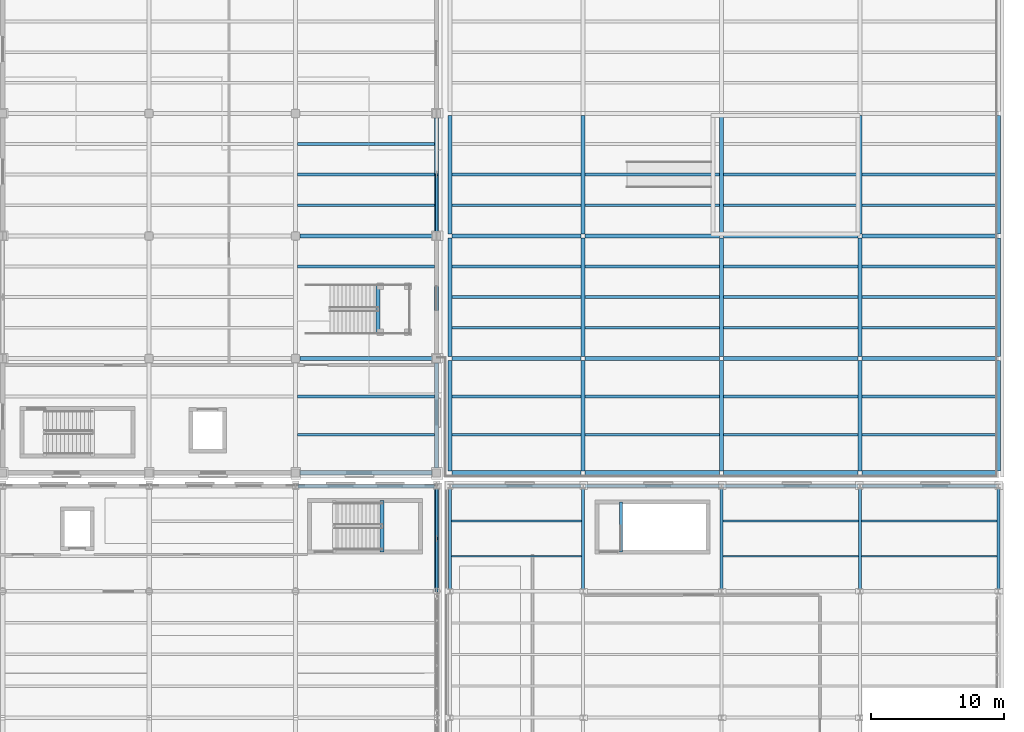
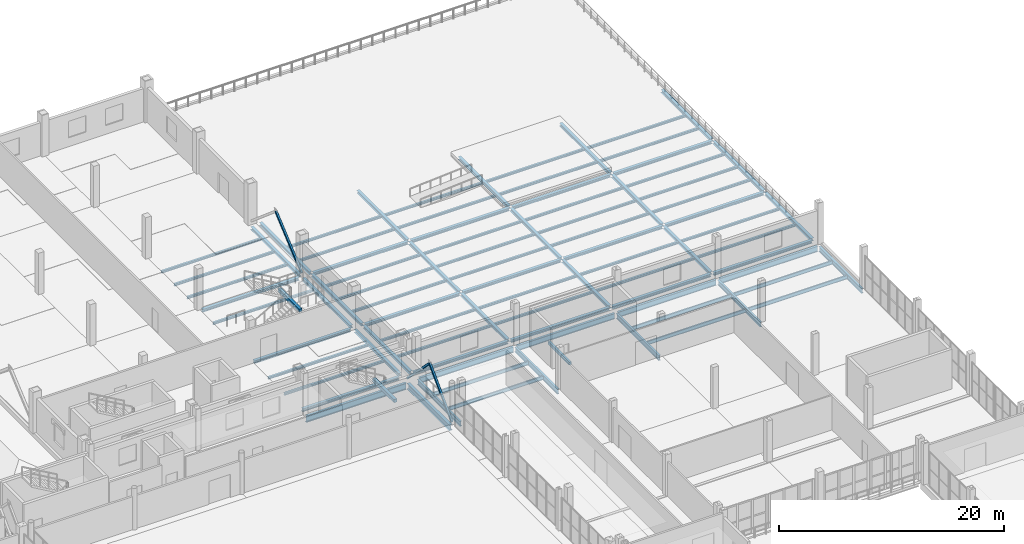
# One storey, part 99 of 156: 87 beams, 3 members.
"""IFC4 building model written with IfcOpenShell, lengths in metres."""

from ifc_helpers import new_model, si_unit, direction, frame, origin, origin_2d, place, context, subcontext, project, spatial, rectangle, hollow_rectangle, i_section, extrude, material, material_profile, profile_set, type_object, element, save


model = new_model("IFC4")

# Units and contexts
model_context = context("Model", 3, precision=1e-05, world=origin(), true_north=direction((0.0, 1.0)))
body_context = subcontext(model_context, "Body", "Model", "MODEL_VIEW")
ifc_project = project(units=[si_unit("LENGTHUNIT", "METRE"), si_unit("AREAUNIT", "SQUARE_METRE"), si_unit("VOLUMEUNIT", "CUBIC_METRE"), si_unit("PLANEANGLEUNIT", "RADIAN"), si_unit("MASSUNIT", "GRAM", prefix="KILO")], contexts=[model_context])

# Site, building, storey
site_placement = place(None, origin())
site = spatial("IfcSite", under=ifc_project, at=site_placement, CompositionType="ELEMENT")
building_placement = place(site_placement, origin())
building = spatial("IfcBuilding", under=site, at=building_placement, Name="Caurita Quay Ferry Terminal", CompositionType="ELEMENT")
storey_placement = place(building_placement, frame((0.0, 0.0, 5.39990234375)))
storey = spatial("IfcBuildingStorey", under=building, at=storey_placement, Name="L01", CompositionType="ELEMENT", Elevation=5.39990234375)

# Beams
ifc_material_1 = material(Name="Structural steel ASTM A992 Gr. 50", Category="steel")
ifc_material_profile_1 = material_profile(ifc_material_1, i_section(OverallWidth=0.210693359375, OverallDepth=0.53857421875, WebThickness=0.01171875, FlangeThickness=0.018798828125, FilletRadius=0.013916015625, at=origin_2d()), Name="W21X73")
ifc_profile_set_1 = profile_set([ifc_material_profile_1], Name="Structural steel ASTM A992 Gr. 50")
beam_type_1 = type_object("IfcBeamType", Name="BM-GR-W21A", PredefinedType="BEAM", material=ifc_profile_set_1)
for number, where, z_axis, x_axis, name in (
    (1, (132.800048828125, 62.8544921875, -0.504150390625), (0.0, 1.0, 0.0), (-1.0, 0.0, 0.0), "L01 Beam BM-V3H-L01-Y-1328-629"),
    (2, (142.800048828125, 62.8544921875, -0.504150390625), (0.0, 1.0, 0.0), (-1.0, 0.0, 0.0), "L01 Beam BM-V3H-L01-Y-1428-629"),
    (3, (153.199951171875, 62.8544921875, -0.504150390625), (0.0, 1.0, 0.0), (-1.0, 0.0, 0.0), "L01 Beam BM-V3H-L01-Y-1532-629"),
    (4, (163.60009765625, 62.8544921875, -0.504150390625), (0.0, 1.0, 0.0), (-1.0, 0.0, 0.0), "L01 Beam BM-V3H-L01-Y-1636-629"),
    (5, (174.0, 62.8544921875, -0.504150390625), (0.0, 1.0, 0.0), (-1.0, 0.0, 0.0), "L01 Beam BM-V3H-L01-Y-1740-629"),
):
    element("IfcBeam", number, at=place(storey_placement, frame(where, z_axis=z_axis, x_axis=x_axis)), inside=storey, type_object=beam_type_1, Name=name, PredefinedType="BEAM", context=body_context, shape_type="SweptSolid", body=[
        extrude(i_section(OverallWidth=0.210693359375, OverallDepth=0.53857421875, WebThickness=0.01171875, FlangeThickness=0.018798828125, FilletRadius=0.013916015625, at=origin_2d()), origin(), (0.0, 0.0, 1.0), 7.591064453125),
    ])
ifc_material_profile_2 = material_profile(ifc_material_1, i_section(OverallWidth=0.3251953125, OverallDepth=0.612060546875, WebThickness=0.0126953125, FlangeThickness=0.01904296875, FilletRadius=0.01513671875, at=origin_2d()), Name="W24X104")
ifc_profile_set_2 = profile_set([ifc_material_profile_2], Name="Structural steel ASTM A992 Gr. 50")
beam_type_2 = type_object("IfcBeamType", Name="BM-GR-W24A", PredefinedType="BEAM", material=ifc_profile_set_2)
beam_1_placement = place(storey_placement, frame((131.800048828125, 62.916015625, -0.60595703125), z_axis=(0.0, 1.0, 0.0), x_axis=(-1.0, 0.0, 0.0)))
element("IfcBeam", 6, at=beam_1_placement, inside=storey, type_object=beam_type_2, Name="L01 Beam BM-V2-L01-Y-1318-629", PredefinedType="BEAM", context=body_context, shape_type="SweptSolid", body=[
    extrude(i_section(OverallWidth=0.3251953125, OverallDepth=0.612060546875, WebThickness=0.0126953125, FlangeThickness=0.01904296875, FilletRadius=0.01513671875, at=origin_2d()), origin(), (0.0, 0.0, 1.0), 7.5166015625),
])
ifc_material_profile_3 = material_profile(ifc_material_1, i_section(OverallWidth=0.22802734375, OverallDepth=0.60205078125, WebThickness=0.010498046875, FlangeThickness=0.014892578125, at=origin_2d()), Name="W24X68")
ifc_profile_set_3 = profile_set([ifc_material_profile_3], Name="Structural steel ASTM A992 Gr. 50")
beam_type_3 = type_object("IfcBeamType", Name="BM-GR-W24C", PredefinedType="BEAM", material=ifc_profile_set_3)
beam_2_placement = place(storey_placement, frame((132.95751953125, 70.60009765625, -0.535888671875), z_axis=(1.0, 0.0, 0.0), x_axis=(0.0, 1.0, 0.0)))
element("IfcBeam", 7, at=beam_2_placement, inside=storey, type_object=beam_type_3, Name="L01 Beam BM-V3H-L01-X-1330-706", PredefinedType="BEAM", context=body_context, shape_type="SweptSolid", body=[
    extrude(i_section(OverallWidth=0.22802734375, OverallDepth=0.60205078125, WebThickness=0.010498046875, FlangeThickness=0.014892578125, at=origin_2d()), origin(), (0.0, 0.0, 1.0), 9.684814453125),
])
beam_3_placement = place(storey_placement, frame((142.95751953125, 70.60009765625, -0.535888671875), z_axis=(1.0, 0.0, 0.0), x_axis=(0.0, 1.0, 0.0)))
element("IfcBeam", 8, at=beam_3_placement, inside=storey, type_object=beam_type_3, Name="L01 Beam BM-V3H-L01-X-1430-706", PredefinedType="BEAM", context=body_context, shape_type="SweptSolid", body=[
    extrude(i_section(OverallWidth=0.22802734375, OverallDepth=0.60205078125, WebThickness=0.010498046875, FlangeThickness=0.014892578125, at=origin_2d()), origin(), (0.0, 0.0, 1.0), 10.0849609375),
])
for number, where, z_axis, x_axis, name in (
    (9, (153.357666015625, 70.60009765625, -0.535888671875), (1.0, 0.0, 0.0), (0.0, 1.0, 0.0), "L01 Beam BM-V3H-L01-X-1534-706"),
    (10, (163.757568359375, 70.60009765625, -0.535888671875), (1.0, 0.0, 0.0), (0.0, 1.0, 0.0), "L01 Beam BM-V3H-L01-X-1638-706"),
):
    element("IfcBeam", number, at=place(storey_placement, frame(where, z_axis=z_axis, x_axis=x_axis)), inside=storey, type_object=beam_type_3, Name=name, PredefinedType="BEAM", context=body_context, shape_type="SweptSolid", body=[
        extrude(i_section(OverallWidth=0.22802734375, OverallDepth=0.60205078125, WebThickness=0.010498046875, FlangeThickness=0.014892578125, at=origin_2d()), origin(), (0.0, 0.0, 1.0), 10.084716796875),
    ])
ifc_material_profile_4 = material_profile(ifc_material_1, i_section(OverallWidth=0.256591796875, OverallDepth=0.693359375, WebThickness=0.014404296875, FlangeThickness=0.023681640625, FilletRadius=0.017822265625, at=origin_2d()), Name="W27X114")
ifc_profile_set_4 = profile_set([ifc_material_profile_4], Name="Structural steel ASTM A992 Gr. 50")
beam_type_4 = type_object("IfcBeamType", Name="BM-GR-W27A", PredefinedType="BEAM", material=ifc_profile_set_4)
beam_4_placement = place(storey_placement, frame((121.369384765625, 70.60009765625, -0.646484375), z_axis=(1.0, 0.0, 0.0), x_axis=(0.0, 1.0, 0.0)))
element("IfcBeam", 11, at=beam_4_placement, inside=storey, type_object=beam_type_4, Name="L01 Beam BM-V2-L01-X-1214-706", PredefinedType="BEAM", context=body_context, shape_type="SweptSolid", body=[
    extrude(i_section(OverallWidth=0.256591796875, OverallDepth=0.693359375, WebThickness=0.014404296875, FlangeThickness=0.023681640625, FilletRadius=0.017822265625, at=origin_2d()), origin(), (0.0, 0.0, 1.0), 10.26123046875),
])
ifc_material_profile_5 = material_profile(ifc_material_1, i_section(OverallWidth=0.2021484375, OverallDepth=0.246337890625, WebThickness=0.00732421875, FlangeThickness=0.010986328125, FilletRadius=0.01025390625, at=origin_2d()), Name="W10X33")
ifc_profile_set_5 = profile_set([ifc_material_profile_5], Name="Structural steel ASTM A992 Gr. 50")
beam_type_5 = type_object("IfcBeamType", Name="BM-JS-W10", PredefinedType="JOIST", material=ifc_profile_set_5)
for number, where, z_axis, x_axis, name in (
    (12, (132.952392578125, 74.466796875, -0.31298828125), (1.0, 0.0, 0.0), (0.0, 1.0, 0.0), "L01 Beam JS-V4E-L01-001"),
    (13, (132.952392578125, 77.333251953125, -0.31298828125), (1.0, 0.0, 0.0), (0.0, 1.0, 0.0), "L01 Beam JS-V4E-L01-002"),
    (14, (132.952392578125, 82.5, -0.31298828125), (1.0, 0.0, 0.0), (0.0, 1.0, 0.0), "L01 Beam JS-V4E-L01-003"),
    (15, (132.952392578125, 84.800048828125, -0.31298828125), (1.0, 0.0, 0.0), (0.0, 1.0, 0.0), "L01 Beam JS-V4E-L01-004"),
    (16, (132.952392578125, 87.10009765625, -0.31298828125), (1.0, 0.0, 0.0), (0.0, 1.0, 0.0), "L01 Beam JS-V4E-L01-005"),
    (17, (132.952392578125, 91.699951171875, -0.31298828125), (1.0, 0.0, 0.0), (0.0, 1.0, 0.0), "L01 Beam JS-V4E-L01-006"),
    (18, (132.952392578125, 94.0, -0.31298828125), (1.0, 0.0, 0.0), (0.0, 1.0, 0.0), "L01 Beam JS-V4E-L01-007"),
):
    element("IfcBeam", number, at=place(storey_placement, frame(where, z_axis=z_axis, x_axis=x_axis)), inside=storey, type_object=beam_type_5, Name=name, PredefinedType="JOIST", context=body_context, shape_type="SweptSolid", body=[
        extrude(i_section(OverallWidth=0.2021484375, OverallDepth=0.246337890625, WebThickness=0.00732421875, FlangeThickness=0.010986328125, FilletRadius=0.01025390625, at=origin_2d()), origin(), (0.0, 0.0, 1.0), 9.6953125),
    ])
for number, where, z_axis, x_axis, name in (
    (19, (142.952392578125, 74.466796875, -0.31298828125), (1.0, 0.0, 0.0), (0.0, 1.0, 0.0), "L01 Beam JS-V4E-L01-015"),
    (20, (142.952392578125, 77.333251953125, -0.31298828125), (1.0, 0.0, 0.0), (0.0, 1.0, 0.0), "L01 Beam JS-V4E-L01-016"),
    (21, (142.952392578125, 82.5, -0.31298828125), (1.0, 0.0, 0.0), (0.0, 1.0, 0.0), "L01 Beam JS-V4E-L01-017"),
    (22, (142.952392578125, 84.800048828125, -0.31298828125), (1.0, 0.0, 0.0), (0.0, 1.0, 0.0), "L01 Beam JS-V4E-L01-018"),
    (23, (142.952392578125, 87.10009765625, -0.31298828125), (1.0, 0.0, 0.0), (0.0, 1.0, 0.0), "L01 Beam JS-V4E-L01-019"),
    (24, (142.952392578125, 91.699951171875, -0.31298828125), (1.0, 0.0, 0.0), (0.0, 1.0, 0.0), "L01 Beam JS-V4E-L01-020"),
    (25, (142.952392578125, 94.0, -0.31298828125), (1.0, 0.0, 0.0), (0.0, 1.0, 0.0), "L01 Beam JS-V4E-L01-021"),
    (26, (153.352294921875, 74.466796875, -0.31298828125), (1.0, 0.0, 0.0), (0.0, 1.0, 0.0), "L01 Beam JS-V4E-L01-029"),
    (27, (153.352294921875, 77.333251953125, -0.31298828125), (1.0, 0.0, 0.0), (0.0, 1.0, 0.0), "L01 Beam JS-V4E-L01-030"),
    (28, (153.352294921875, 82.5, -0.31298828125), (1.0, 0.0, 0.0), (0.0, 1.0, 0.0), "L01 Beam JS-V4E-L01-031"),
    (29, (153.352294921875, 84.800048828125, -0.31298828125), (1.0, 0.0, 0.0), (0.0, 1.0, 0.0), "L01 Beam JS-V4E-L01-032"),
    (30, (153.352294921875, 87.10009765625, -0.31298828125), (1.0, 0.0, 0.0), (0.0, 1.0, 0.0), "L01 Beam JS-V4E-L01-033"),
    (31, (153.352294921875, 91.699951171875, -0.31298828125), (1.0, 0.0, 0.0), (0.0, 1.0, 0.0), "L01 Beam JS-V4E-L01-034"),
    (32, (153.352294921875, 94.0, -0.31298828125), (1.0, 0.0, 0.0), (0.0, 1.0, 0.0), "L01 Beam JS-V4E-L01-035"),
    (33, (163.75244140625, 74.466796875, -0.31298828125), (1.0, 0.0, 0.0), (0.0, 1.0, 0.0), "L01 Beam JS-V4E-L01-043"),
    (34, (163.75244140625, 77.333251953125, -0.31298828125), (1.0, 0.0, 0.0), (0.0, 1.0, 0.0), "L01 Beam JS-V4E-L01-044"),
    (35, (163.75244140625, 82.5, -0.31298828125), (1.0, 0.0, 0.0), (0.0, 1.0, 0.0), "L01 Beam JS-V4E-L01-045"),
    (36, (163.75244140625, 84.800048828125, -0.31298828125), (1.0, 0.0, 0.0), (0.0, 1.0, 0.0), "L01 Beam JS-V4E-L01-046"),
    (37, (163.75244140625, 87.10009765625, -0.31298828125), (1.0, 0.0, 0.0), (0.0, 1.0, 0.0), "L01 Beam JS-V4E-L01-047"),
    (38, (163.75244140625, 91.699951171875, -0.31298828125), (1.0, 0.0, 0.0), (0.0, 1.0, 0.0), "L01 Beam JS-V4E-L01-048"),
    (39, (163.75244140625, 94.0, -0.31298828125), (1.0, 0.0, 0.0), (0.0, 1.0, 0.0), "L01 Beam JS-V4E-L01-049"),
):
    element("IfcBeam", number, at=place(storey_placement, frame(where, z_axis=z_axis, x_axis=x_axis)), inside=storey, type_object=beam_type_5, Name=name, PredefinedType="JOIST", context=body_context, shape_type="SweptSolid", body=[
        extrude(i_section(OverallWidth=0.2021484375, OverallDepth=0.246337890625, WebThickness=0.00732421875, FlangeThickness=0.010986328125, FilletRadius=0.01025390625, at=origin_2d()), origin(), (0.0, 0.0, 1.0), 10.09521484375),
    ])
for number, where, z_axis, x_axis, name in (
    (40, (121.352294921875, 74.466796875, -0.30322265625), (1.0, 0.0, 0.0), (0.0, 1.0, 0.0), "L01 Beam JS-V4W-L01-027"),
    (41, (121.352294921875, 77.333251953125, -0.30322265625), (1.0, 0.0, 0.0), (0.0, 1.0, 0.0), "L01 Beam JS-V4W-L01-028"),
    (42, (121.352294921875, 87.10009765625, -0.30322265625), (1.0, 0.0, 0.0), (0.0, 1.0, 0.0), "L01 Beam JS-V4W-L01-029"),
    (43, (121.352294921875, 91.699951171875, -0.30322265625), (1.0, 0.0, 0.0), (0.0, 1.0, 0.0), "L01 Beam JS-V4W-L01-030"),
    (44, (121.352294921875, 94.0, -0.30322265625), (1.0, 0.0, 0.0), (0.0, 1.0, 0.0), "L01 Beam JS-V4W-L01-031"),
    (45, (121.352294921875, 96.300048828125, -0.30322265625), (1.0, 0.0, 0.0), (0.0, 1.0, 0.0), "L01 Beam JS-V4W-L01-032"),
):
    element("IfcBeam", number, at=place(storey_placement, frame(where, z_axis=z_axis, x_axis=x_axis)), inside=storey, type_object=beam_type_5, Name=name, PredefinedType="JOIST", context=body_context, shape_type="SweptSolid", body=[
        extrude(i_section(OverallWidth=0.2021484375, OverallDepth=0.246337890625, WebThickness=0.00732421875, FlangeThickness=0.010986328125, FilletRadius=0.01025390625, at=origin_2d()), origin(), (0.0, 0.0, 1.0), 10.29541015625),
    ])
ifc_material_profile_6 = material_profile(ifc_material_1, i_section(OverallWidth=0.139892578125, OverallDepth=0.39892578125, WebThickness=0.00634765625, FlangeThickness=0.0087890625, at=origin_2d()), Name="W16X26")
ifc_profile_set_6 = profile_set([ifc_material_profile_6], Name="Structural steel ASTM A992 Gr. 50")
beam_type_6 = type_object("IfcBeamType", Name="BM-JS-W16C", PredefinedType="JOIST", material=ifc_profile_set_6)
for number, where, z_axis, x_axis, name in (
    (46, (132.905517578125, 65.333251953125, -0.434326171875), (1.0, 0.0, 0.0), (0.0, 1.0, 0.0), "L01 Beam JS-V3H-L01-010"),
    (47, (132.905517578125, 67.966796875, -0.434326171875), (1.0, 0.0, 0.0), (0.0, 1.0, 0.0), "L01 Beam JS-V3H-L01-011"),
):
    element("IfcBeam", number, at=place(storey_placement, frame(where, z_axis=z_axis, x_axis=x_axis)), inside=storey, type_object=beam_type_6, Name=name, PredefinedType="JOIST", context=body_context, shape_type="SweptSolid", body=[
        extrude(i_section(OverallWidth=0.139892578125, OverallDepth=0.39892578125, WebThickness=0.00634765625, FlangeThickness=0.0087890625, at=origin_2d()), origin(), (0.0, 0.0, 1.0), 9.7890625),
    ])
for number, where, z_axis, x_axis, name in (
    (48, (153.305419921875, 65.333251953125, -0.434326171875), (1.0, 0.0, 0.0), (0.0, 1.0, 0.0), "L01 Beam JS-V3H-L01-030"),
    (49, (153.305419921875, 67.966796875, -0.434326171875), (1.0, 0.0, 0.0), (0.0, 1.0, 0.0), "L01 Beam JS-V3H-L01-031"),
    (50, (163.705322265625, 65.333251953125, -0.434326171875), (1.0, 0.0, 0.0), (0.0, 1.0, 0.0), "L01 Beam JS-V3H-L01-039"),
    (51, (163.705322265625, 67.966796875, -0.434326171875), (1.0, 0.0, 0.0), (0.0, 1.0, 0.0), "L01 Beam JS-V3H-L01-040"),
):
    element("IfcBeam", number, at=place(storey_placement, frame(where, z_axis=z_axis, x_axis=x_axis)), inside=storey, type_object=beam_type_6, Name=name, PredefinedType="JOIST", context=body_context, shape_type="SweptSolid", body=[
        extrude(i_section(OverallWidth=0.139892578125, OverallDepth=0.39892578125, WebThickness=0.00634765625, FlangeThickness=0.0087890625, at=origin_2d()), origin(), (0.0, 0.0, 1.0), 10.189208984375),
    ])
ifc_material_profile_7 = material_profile(ifc_material_1, i_section(OverallWidth=0.3046875, OverallDepth=0.307373046875, WebThickness=0.010009765625, FlangeThickness=0.015380859375, FilletRadius=0.01513671875, at=origin_2d()), Name="W12X65")
ifc_profile_set_7 = profile_set([ifc_material_profile_7], Name="Structural steel ASTM A992 Gr. 50")
beam_type_7 = type_object("IfcBeamType", Name="BM-VD-W12A", PredefinedType="BEAM", material=ifc_profile_set_7)
beam_5_placement = place(storey_placement, frame((132.951416015625, 71.60009765625, -0.343505859375), z_axis=(1.0, 0.0, 0.0), x_axis=(0.0, 1.0, 0.0)))
element("IfcBeam", 52, at=beam_5_placement, inside=storey, type_object=beam_type_7, Name="L01 Beam BM-V4E-L01-X-1330-716", PredefinedType="BEAM", context=body_context, shape_type="SweptSolid", body=[
    extrude(i_section(OverallWidth=0.3046875, OverallDepth=0.307373046875, WebThickness=0.010009765625, FlangeThickness=0.015380859375, FilletRadius=0.01513671875, at=origin_2d()), origin(), (0.0, 0.0, 1.0), 9.697265625),
])
beam_6_placement = place(storey_placement, frame((142.951416015625, 71.60009765625, -0.343505859375), z_axis=(1.0, 0.0, 0.0), x_axis=(0.0, 1.0, 0.0)))
element("IfcBeam", 53, at=beam_6_placement, inside=storey, type_object=beam_type_7, Name="L01 Beam BM-V4E-L01-X-1430-716", PredefinedType="BEAM", context=body_context, shape_type="SweptSolid", body=[
    extrude(i_section(OverallWidth=0.3046875, OverallDepth=0.307373046875, WebThickness=0.010009765625, FlangeThickness=0.015380859375, FilletRadius=0.01513671875, at=origin_2d()), origin(), (0.0, 0.0, 1.0), 10.09716796875),
])
for number, where, z_axis, x_axis, name in (
    (54, (153.351318359375, 71.60009765625, -0.343505859375), (1.0, 0.0, 0.0), (0.0, 1.0, 0.0), "L01 Beam BM-V4E-L01-X-1534-716"),
    (55, (163.751220703125, 71.60009765625, -0.343505859375), (1.0, 0.0, 0.0), (0.0, 1.0, 0.0), "L01 Beam BM-V4E-L01-X-1638-716"),
):
    element("IfcBeam", number, at=place(storey_placement, frame(where, z_axis=z_axis, x_axis=x_axis)), inside=storey, type_object=beam_type_7, Name=name, PredefinedType="BEAM", context=body_context, shape_type="SweptSolid", body=[
        extrude(i_section(OverallWidth=0.3046875, OverallDepth=0.307373046875, WebThickness=0.010009765625, FlangeThickness=0.015380859375, FilletRadius=0.01513671875, at=origin_2d()), origin(), (0.0, 0.0, 1.0), 10.097412109375),
    ])
beam_7_placement = place(storey_placement, frame((132.951416015625, 80.199951171875, -0.343505859375), z_axis=(1.0, 0.0, 0.0), x_axis=(0.0, 1.0, 0.0)))
element("IfcBeam", 56, at=beam_7_placement, inside=storey, type_object=beam_type_7, Name="L01 Beam BM-V4E-L01-X-1330-802", PredefinedType="BEAM", context=body_context, shape_type="SweptSolid", body=[
    extrude(i_section(OverallWidth=0.3046875, OverallDepth=0.307373046875, WebThickness=0.010009765625, FlangeThickness=0.015380859375, FilletRadius=0.01513671875, at=origin_2d()), origin(), (0.0, 0.0, 1.0), 9.697265625),
])
beam_8_placement = place(storey_placement, frame((142.951416015625, 80.199951171875, -0.343505859375), z_axis=(1.0, 0.0, 0.0), x_axis=(0.0, 1.0, 0.0)))
element("IfcBeam", 57, at=beam_8_placement, inside=storey, type_object=beam_type_7, Name="L01 Beam BM-V4E-L01-X-1430-802", PredefinedType="BEAM", context=body_context, shape_type="SweptSolid", body=[
    extrude(i_section(OverallWidth=0.3046875, OverallDepth=0.307373046875, WebThickness=0.010009765625, FlangeThickness=0.015380859375, FilletRadius=0.01513671875, at=origin_2d()), origin(), (0.0, 0.0, 1.0), 10.09716796875),
])
for number, where, z_axis, x_axis, name in (
    (58, (153.351318359375, 80.199951171875, -0.343505859375), (1.0, 0.0, 0.0), (0.0, 1.0, 0.0), "L01 Beam BM-V4E-L01-X-1534-802"),
    (59, (163.751220703125, 80.199951171875, -0.343505859375), (1.0, 0.0, 0.0), (0.0, 1.0, 0.0), "L01 Beam BM-V4E-L01-X-1638-802"),
):
    element("IfcBeam", number, at=place(storey_placement, frame(where, z_axis=z_axis, x_axis=x_axis)), inside=storey, type_object=beam_type_7, Name=name, PredefinedType="BEAM", context=body_context, shape_type="SweptSolid", body=[
        extrude(i_section(OverallWidth=0.3046875, OverallDepth=0.307373046875, WebThickness=0.010009765625, FlangeThickness=0.015380859375, FilletRadius=0.01513671875, at=origin_2d()), origin(), (0.0, 0.0, 1.0), 10.097412109375),
    ])
beam_9_placement = place(storey_placement, frame((132.951416015625, 89.39990234375, -0.343505859375), z_axis=(1.0, 0.0, 0.0), x_axis=(0.0, 1.0, 0.0)))
element("IfcBeam", 60, at=beam_9_placement, inside=storey, type_object=beam_type_7, Name="L01 Beam BM-V4E-L01-X-1330-894", PredefinedType="BEAM", context=body_context, shape_type="SweptSolid", body=[
    extrude(i_section(OverallWidth=0.3046875, OverallDepth=0.307373046875, WebThickness=0.010009765625, FlangeThickness=0.015380859375, FilletRadius=0.01513671875, at=origin_2d()), origin(), (0.0, 0.0, 1.0), 9.697265625),
])
beam_10_placement = place(storey_placement, frame((142.951416015625, 89.39990234375, -0.343505859375), z_axis=(1.0, 0.0, 0.0), x_axis=(0.0, 1.0, 0.0)))
element("IfcBeam", 61, at=beam_10_placement, inside=storey, type_object=beam_type_7, Name="L01 Beam BM-V4E-L01-X-1430-894", PredefinedType="BEAM", context=body_context, shape_type="SweptSolid", body=[
    extrude(i_section(OverallWidth=0.3046875, OverallDepth=0.307373046875, WebThickness=0.010009765625, FlangeThickness=0.015380859375, FilletRadius=0.01513671875, at=origin_2d()), origin(), (0.0, 0.0, 1.0), 10.09716796875),
])
for number, where, z_axis, x_axis, name in (
    (62, (153.351318359375, 89.39990234375, -0.343505859375), (1.0, 0.0, 0.0), (0.0, 1.0, 0.0), "L01 Beam BM-V4E-L01-X-1534-894"),
    (63, (163.751220703125, 89.39990234375, -0.343505859375), (1.0, 0.0, 0.0), (0.0, 1.0, 0.0), "L01 Beam BM-V4E-L01-X-1638-894"),
):
    element("IfcBeam", number, at=place(storey_placement, frame(where, z_axis=z_axis, x_axis=x_axis)), inside=storey, type_object=beam_type_7, Name=name, PredefinedType="BEAM", context=body_context, shape_type="SweptSolid", body=[
        extrude(i_section(OverallWidth=0.3046875, OverallDepth=0.307373046875, WebThickness=0.010009765625, FlangeThickness=0.015380859375, FilletRadius=0.01513671875, at=origin_2d()), origin(), (0.0, 0.0, 1.0), 10.097412109375),
    ])
beam_11_placement = place(storey_placement, frame((132.800048828125, 71.751220703125, -0.343505859375), z_axis=(0.0, 1.0, 0.0), x_axis=(-1.0, 0.0, 0.0)))
element("IfcBeam", 64, at=beam_11_placement, inside=storey, type_object=beam_type_7, Name="L01 Beam BM-V4E-L01-Y-1328-718", PredefinedType="BEAM", context=body_context, shape_type="SweptSolid", body=[
    extrude(i_section(OverallWidth=0.3046875, OverallDepth=0.307373046875, WebThickness=0.010009765625, FlangeThickness=0.015380859375, FilletRadius=0.01513671875, at=origin_2d()), origin(), (0.0, 0.0, 1.0), 8.29736328125),
])
for number, where, z_axis, x_axis, name in (
    (65, (132.800048828125, 80.351318359375, -0.343505859375), (0.0, 1.0, 0.0), (-1.0, 0.0, 0.0), "L01 Beam BM-V4E-L01-Y-1328-804"),
    (66, (132.800048828125, 89.55126953125, -0.343505859375), (0.0, 1.0, 0.0), (-1.0, 0.0, 0.0), "L01 Beam BM-V4E-L01-Y-1328-896"),
):
    element("IfcBeam", number, at=place(storey_placement, frame(where, z_axis=z_axis, x_axis=x_axis)), inside=storey, type_object=beam_type_7, Name=name, PredefinedType="BEAM", context=body_context, shape_type="SweptSolid", body=[
        extrude(i_section(OverallWidth=0.3046875, OverallDepth=0.307373046875, WebThickness=0.010009765625, FlangeThickness=0.015380859375, FilletRadius=0.01513671875, at=origin_2d()), origin(), (0.0, 0.0, 1.0), 8.8974609375),
    ])
beam_12_placement = place(storey_placement, frame((142.800048828125, 71.751220703125, -0.343505859375), z_axis=(0.0, 1.0, 0.0), x_axis=(-1.0, 0.0, 0.0)))
element("IfcBeam", 67, at=beam_12_placement, inside=storey, type_object=beam_type_7, Name="L01 Beam BM-V4E-L01-Y-1428-718", PredefinedType="BEAM", context=body_context, shape_type="SweptSolid", body=[
    extrude(i_section(OverallWidth=0.3046875, OverallDepth=0.307373046875, WebThickness=0.010009765625, FlangeThickness=0.015380859375, FilletRadius=0.01513671875, at=origin_2d()), origin(), (0.0, 0.0, 1.0), 8.29736328125),
])
for number, where, z_axis, x_axis, name in (
    (68, (142.800048828125, 80.351318359375, -0.343505859375), (0.0, 1.0, 0.0), (-1.0, 0.0, 0.0), "L01 Beam BM-V4E-L01-Y-1428-804"),
    (69, (142.800048828125, 89.55126953125, -0.343505859375), (0.0, 1.0, 0.0), (-1.0, 0.0, 0.0), "L01 Beam BM-V4E-L01-Y-1428-896"),
):
    element("IfcBeam", number, at=place(storey_placement, frame(where, z_axis=z_axis, x_axis=x_axis)), inside=storey, type_object=beam_type_7, Name=name, PredefinedType="BEAM", context=body_context, shape_type="SweptSolid", body=[
        extrude(i_section(OverallWidth=0.3046875, OverallDepth=0.307373046875, WebThickness=0.010009765625, FlangeThickness=0.015380859375, FilletRadius=0.01513671875, at=origin_2d()), origin(), (0.0, 0.0, 1.0), 8.8974609375),
    ])
beam_13_placement = place(storey_placement, frame((153.199951171875, 71.751220703125, -0.343505859375), z_axis=(0.0, 1.0, 0.0), x_axis=(-1.0, 0.0, 0.0)))
element("IfcBeam", 70, at=beam_13_placement, inside=storey, type_object=beam_type_7, Name="L01 Beam BM-V4E-L01-Y-1532-718", PredefinedType="BEAM", context=body_context, shape_type="SweptSolid", body=[
    extrude(i_section(OverallWidth=0.3046875, OverallDepth=0.307373046875, WebThickness=0.010009765625, FlangeThickness=0.015380859375, FilletRadius=0.01513671875, at=origin_2d()), origin(), (0.0, 0.0, 1.0), 8.29736328125),
])
for number, where, z_axis, x_axis, name in (
    (71, (153.199951171875, 80.351318359375, -0.343505859375), (0.0, 1.0, 0.0), (-1.0, 0.0, 0.0), "L01 Beam BM-V4E-L01-Y-1532-804"),
    (72, (153.199951171875, 89.55126953125, -0.343505859375), (0.0, 1.0, 0.0), (-1.0, 0.0, 0.0), "L01 Beam BM-V4E-L01-Y-1532-896"),
):
    element("IfcBeam", number, at=place(storey_placement, frame(where, z_axis=z_axis, x_axis=x_axis)), inside=storey, type_object=beam_type_7, Name=name, PredefinedType="BEAM", context=body_context, shape_type="SweptSolid", body=[
        extrude(i_section(OverallWidth=0.3046875, OverallDepth=0.307373046875, WebThickness=0.010009765625, FlangeThickness=0.015380859375, FilletRadius=0.01513671875, at=origin_2d()), origin(), (0.0, 0.0, 1.0), 8.8974609375),
    ])
beam_14_placement = place(storey_placement, frame((163.60009765625, 71.751220703125, -0.343505859375), z_axis=(0.0, 1.0, 0.0), x_axis=(-1.0, 0.0, 0.0)))
element("IfcBeam", 73, at=beam_14_placement, inside=storey, type_object=beam_type_7, Name="L01 Beam BM-V4E-L01-Y-1636-718", PredefinedType="BEAM", context=body_context, shape_type="SweptSolid", body=[
    extrude(i_section(OverallWidth=0.3046875, OverallDepth=0.307373046875, WebThickness=0.010009765625, FlangeThickness=0.015380859375, FilletRadius=0.01513671875, at=origin_2d()), origin(), (0.0, 0.0, 1.0), 8.29736328125),
])
for number, where, z_axis, x_axis, name in (
    (74, (163.60009765625, 80.351318359375, -0.343505859375), (0.0, 1.0, 0.0), (-1.0, 0.0, 0.0), "L01 Beam BM-V4E-L01-Y-1636-804"),
    (75, (163.60009765625, 89.55126953125, -0.343505859375), (0.0, 1.0, 0.0), (-1.0, 0.0, 0.0), "L01 Beam BM-V4E-L01-Y-1636-896"),
):
    element("IfcBeam", number, at=place(storey_placement, frame(where, z_axis=z_axis, x_axis=x_axis)), inside=storey, type_object=beam_type_7, Name=name, PredefinedType="BEAM", context=body_context, shape_type="SweptSolid", body=[
        extrude(i_section(OverallWidth=0.3046875, OverallDepth=0.307373046875, WebThickness=0.010009765625, FlangeThickness=0.015380859375, FilletRadius=0.01513671875, at=origin_2d()), origin(), (0.0, 0.0, 1.0), 8.8974609375),
    ])
beam_15_placement = place(storey_placement, frame((174.0, 71.751220703125, -0.343505859375), z_axis=(0.0, 1.0, 0.0), x_axis=(-1.0, 0.0, 0.0)))
element("IfcBeam", 76, at=beam_15_placement, inside=storey, type_object=beam_type_7, Name="L01 Beam BM-V4E-L01-Y-1740-718", PredefinedType="BEAM", context=body_context, shape_type="SweptSolid", body=[
    extrude(i_section(OverallWidth=0.3046875, OverallDepth=0.307373046875, WebThickness=0.010009765625, FlangeThickness=0.015380859375, FilletRadius=0.01513671875, at=origin_2d()), origin(), (0.0, 0.0, 1.0), 8.29736328125),
])
for number, where, z_axis, x_axis, name in (
    (77, (174.0, 80.351318359375, -0.343505859375), (0.0, 1.0, 0.0), (-1.0, 0.0, 0.0), "L01 Beam BM-V4E-L01-Y-1740-804"),
    (78, (174.0, 89.55126953125, -0.343505859375), (0.0, 1.0, 0.0), (-1.0, 0.0, 0.0), "L01 Beam BM-V4E-L01-Y-1740-896"),
):
    element("IfcBeam", number, at=place(storey_placement, frame(where, z_axis=z_axis, x_axis=x_axis)), inside=storey, type_object=beam_type_7, Name=name, PredefinedType="BEAM", context=body_context, shape_type="SweptSolid", body=[
        extrude(i_section(OverallWidth=0.3046875, OverallDepth=0.307373046875, WebThickness=0.010009765625, FlangeThickness=0.015380859375, FilletRadius=0.01513671875, at=origin_2d()), origin(), (0.0, 0.0, 1.0), 8.8974609375),
    ])
for number, where, z_axis, x_axis, name in (
    (79, (121.5400390625, 71.60009765625, -0.33349609375), (1.0, 0.0, 0.0), (0.0, 1.0, 0.0), "L01 Beam BM-V4W-L01-X-1215-716"),
    (80, (121.5400390625, 80.199951171875, -0.33349609375), (1.0, 0.0, 0.0), (0.0, 1.0, 0.0), "L01 Beam BM-V4W-L01-X-1215-802"),
    (81, (121.5400390625, 89.39990234375, -0.33349609375), (1.0, 0.0, 0.0), (0.0, 1.0, 0.0), "L01 Beam BM-V4W-L01-X-1215-894"),
):
    element("IfcBeam", number, at=place(storey_placement, frame(where, z_axis=z_axis, x_axis=x_axis)), inside=storey, type_object=beam_type_7, Name=name, PredefinedType="BEAM", context=body_context, shape_type="SweptSolid", body=[
        extrude(i_section(OverallWidth=0.3046875, OverallDepth=0.307373046875, WebThickness=0.010009765625, FlangeThickness=0.015380859375, FilletRadius=0.01513671875, at=origin_2d()), origin(), (0.0, 0.0, 1.0), 9.919921875),
    ])
beam_16_placement = place(storey_placement, frame((131.800048828125, 71.93994140625, -0.33349609375), z_axis=(0.0, 1.0, 0.0), x_axis=(-1.0, 0.0, 0.0)))
element("IfcBeam", 82, at=beam_16_placement, inside=storey, type_object=beam_type_7, Name="L01 Beam BM-V4W-L01-Y-1318-719", PredefinedType="BEAM", context=body_context, shape_type="SweptSolid", body=[
    extrude(i_section(OverallWidth=0.3046875, OverallDepth=0.307373046875, WebThickness=0.010009765625, FlangeThickness=0.015380859375, FilletRadius=0.01513671875, at=origin_2d()), origin(), (0.0, 0.0, 1.0), 7.920166015625),
])
for number, where, z_axis, x_axis, name in (
    (83, (131.800048828125, 80.5400390625, -0.33349609375), (0.0, 1.0, 0.0), (-1.0, 0.0, 0.0), "L01 Beam BM-V4W-L01-Y-1318-805"),
    (84, (131.800048828125, 89.739990234375, -0.33349609375), (0.0, 1.0, 0.0), (-1.0, 0.0, 0.0), "L01 Beam BM-V4W-L01-Y-1318-897"),
):
    element("IfcBeam", number, at=place(storey_placement, frame(where, z_axis=z_axis, x_axis=x_axis)), inside=storey, type_object=beam_type_7, Name=name, PredefinedType="BEAM", context=body_context, shape_type="SweptSolid", body=[
        extrude(i_section(OverallWidth=0.3046875, OverallDepth=0.307373046875, WebThickness=0.010009765625, FlangeThickness=0.015380859375, FilletRadius=0.01513671875, at=origin_2d()), origin(), (0.0, 0.0, 1.0), 8.52001953125),
    ])
ifc_material_2 = material(Name="Reinforced concrete C35/45", Category="concrete")
ifc_material_profile_8 = material_profile(ifc_material_2, rectangle(XDim=0.25, YDim=0.300048828125, at=origin_2d()), Name="RC-LN-250X300")
ifc_profile_set_8 = profile_set([ifc_material_profile_8], Name="Reinforced concrete C35/45")
beam_type_8 = type_object("IfcBeamType", Name="LN-RC-2530", PredefinedType="LINTEL", material=ifc_profile_set_8)
beam_17_placement = place(storey_placement, frame((145.64990234375, 65.64990234375, -0.14990234375), z_axis=(0.0, 1.0, 0.0), x_axis=(-1.0, 0.0, 0.0)))
element("IfcBeam", 85, at=beam_17_placement, inside=storey, type_object=beam_type_8, Name="L01 Stair ST-10 Landing Trimmer Beam", PredefinedType="LINTEL", context=body_context, shape_type="SweptSolid", body=[
    extrude(rectangle(XDim=0.25, YDim=0.300048828125, at=origin_2d()), origin(), (0.0, 0.0, 1.0), 3.760009765625),
])
ifc_material_profile_9 = material_profile(ifc_material_2, rectangle(XDim=0.300048828125, YDim=0.35009765625, at=origin_2d()), Name="RC-LN-300X350")
ifc_profile_set_9 = profile_set([ifc_material_profile_9], Name="Reinforced concrete C35/45")
beam_type_9 = type_object("IfcBeamType", Name="LN-RC-3035", PredefinedType="LINTEL", material=ifc_profile_set_9)
beam_18_placement = place(storey_placement, frame((127.699951171875, 65.64990234375, 2.0751953125), z_axis=(0.0, 1.0, 0.0), x_axis=(-1.0, 0.0, 0.0)))
element("IfcBeam", 86, at=beam_18_placement, inside=storey, type_object=beam_type_9, Name="L01 Stair ST-09 Half-Landing Beam 1", PredefinedType="LINTEL", context=body_context, shape_type="SweptSolid", body=[
    extrude(rectangle(XDim=0.300048828125, YDim=0.35009765625, at=origin_2d()), origin(), (0.0, 0.0, 1.0), 3.860107421875),
])
beam_19_placement = place(storey_placement, frame((127.39990234375, 82.0, 2.0751953125), z_axis=(0.0, 1.0, 0.0), x_axis=(-1.0, 0.0, 0.0)))
element("IfcBeam", 87, at=beam_19_placement, inside=storey, type_object=beam_type_9, Name="L01 Promenade Stair ST-13 Half-Landing Beam", PredefinedType="LINTEL", context=body_context, shape_type="SweptSolid", body=[
    extrude(rectangle(XDim=0.300048828125, YDim=0.35009765625, at=origin_2d()), origin(), (0.0, 0.0, 1.0), 3.760009765625),
])

# Members
ifc_material_3 = material(Name="Hollow structural steel ASTM A500 Gr. C", Category="steel")
ifc_material_profile_10 = material_profile(ifc_material_3, hollow_rectangle(XDim=0.203125, YDim=0.203125, WallThickness=0.0087890625, InnerFilletRadius=0.0087890625, OuterFilletRadius=0.017822265625, at=origin_2d()), Name="HSS8X8X3/8")
ifc_profile_set_10 = profile_set([ifc_material_profile_10], Name="Hollow structural steel ASTM A500 Gr. C")
member_type = type_object("IfcMemberType", Name="MEM-BRC-08", PredefinedType="BRACE", material=ifc_profile_set_10)
member_1_placement = place(storey_placement, frame((131.800048828125, 62.699951171875, 0.1201171875), z_axis=(0.0, 0.701751624873, 0.71242168481), x_axis=(-1.0, 0.0, 0.0)))
element("IfcMember", 88, at=member_1_placement, inside=storey, type_object=member_type, Name="L01 Chevron Seismic Brace 14A", PredefinedType="BRACE", context=body_context, shape_type="SweptSolid", body=[
    extrude(hollow_rectangle(XDim=0.203125, YDim=0.203125, WallThickness=0.0087890625, InnerFilletRadius=0.0087890625, OuterFilletRadius=0.017822265625, at=origin_2d()), origin(), (0.0, 0.0, 1.0), 5.628662109375),
])
member_2_placement = place(storey_placement, frame((131.800048828125, 70.60009765625, 0.1201171875), z_axis=(0.0, -0.701773638226, 0.712400000485), x_axis=(1.0, 0.0, 0.0)))
element("IfcMember", 89, at=member_2_placement, inside=storey, type_object=member_type, Name="L01 Chevron Seismic Brace 14B", PredefinedType="BRACE", context=body_context, shape_type="SweptSolid", body=[
    extrude(hollow_rectangle(XDim=0.203125, YDim=0.203125, WallThickness=0.0087890625, InnerFilletRadius=0.0087890625, OuterFilletRadius=0.017822265625, at=origin_2d()), origin(), (0.0, 0.0, 1.0), 5.62890625),
])
member_3_placement = place(storey_placement, frame((131.800048828125, 89.39990234375, 0.1201171875), z_axis=(0.0, 0.761953286382, 0.647631986063), x_axis=(-1.0, 0.0, 0.0)))
element("IfcMember", 90, at=member_3_placement, inside=storey, type_object=member_type, Name="L01 Chevron Seismic Brace 16A", PredefinedType="BRACE", context=body_context, shape_type="SweptSolid", body=[
    extrude(hollow_rectangle(XDim=0.203125, YDim=0.203125, WallThickness=0.0087890625, InnerFilletRadius=0.0087890625, OuterFilletRadius=0.017822265625, at=origin_2d()), origin(), (0.0, 0.0, 1.0), 6.037353515625),
])

save(model, "model.ifc")
